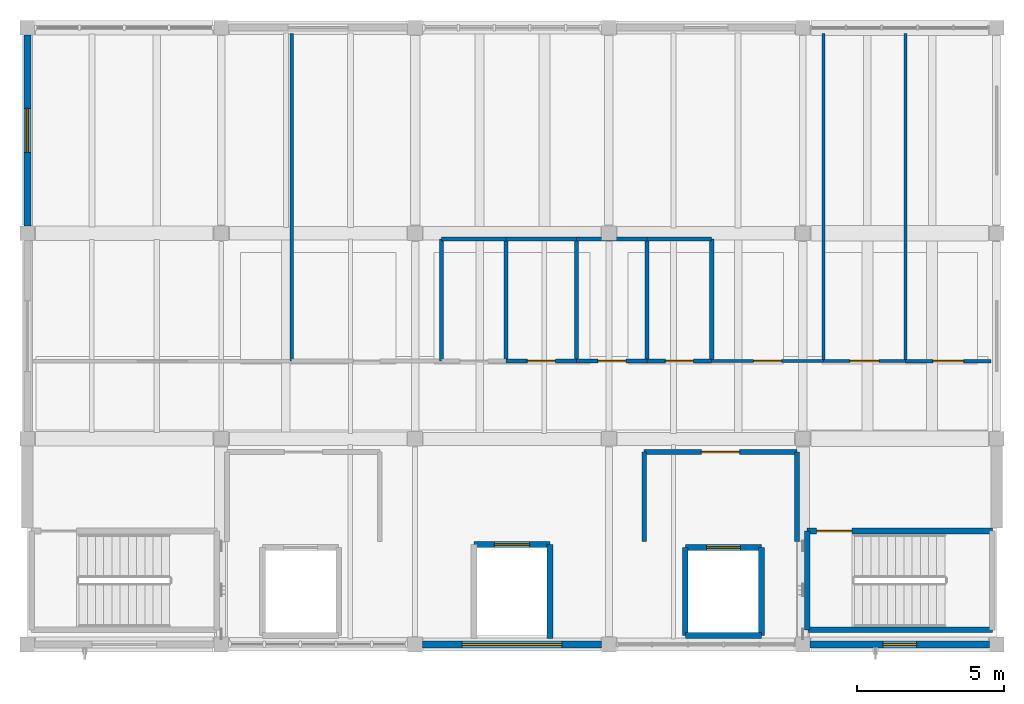
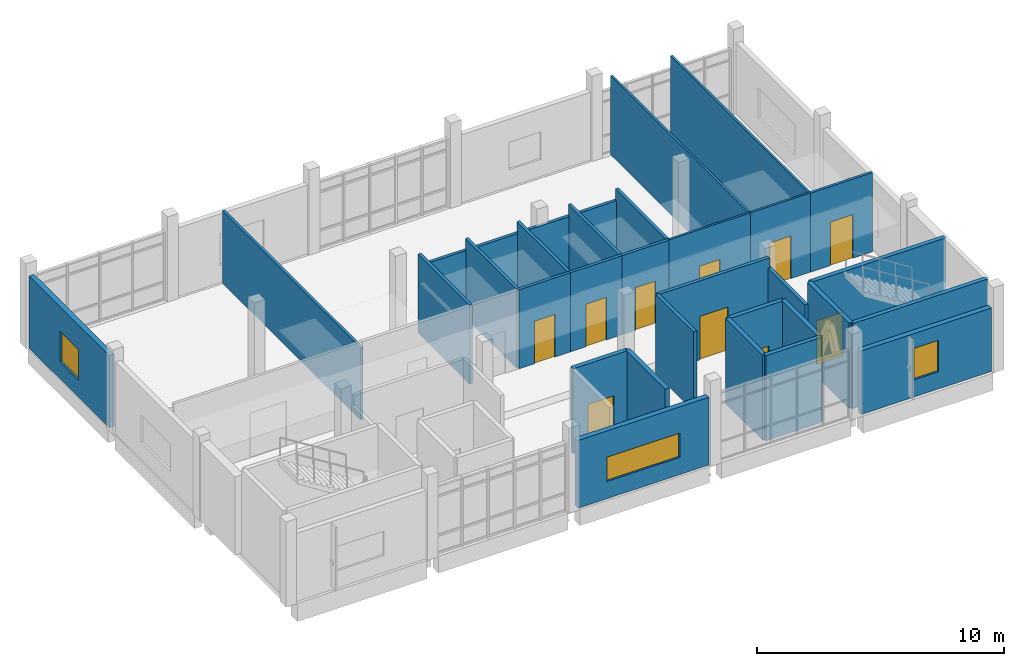
# One storey, part 8 of 10: 33 walls, 10 doors, 3 windows, 13 openings.
"""IFC4 building model written with IfcOpenShell, lengths in metres."""

from ifc_helpers import new_model, si_unit, direction, frame, frame_2d, origin, place, context, subcontext, project, spatial, rectangle, extrude, material, layer, layer_set, type_object, element, fill, save


model = new_model("IFC4")

# Units and contexts
model_context = context("Model", 3, precision=1e-05, world=origin(), true_north=direction((0.0, 1.0)))
body_context = subcontext(model_context, "Body", "Model", "MODEL_VIEW")
ifc_project = project(units=[si_unit("LENGTHUNIT", "METRE"), si_unit("AREAUNIT", "SQUARE_METRE"), si_unit("VOLUMEUNIT", "CUBIC_METRE"), si_unit("PLANEANGLEUNIT", "RADIAN"), si_unit("MASSUNIT", "GRAM", prefix="KILO")], contexts=[model_context])

# Site, building, storey
site_placement = place(None, origin())
site = spatial("IfcSite", under=ifc_project, at=site_placement, CompositionType="ELEMENT")
building_placement = place(site_placement, origin())
building = spatial("IfcBuilding", under=site, at=building_placement, Name="Ciguamira Faculty of Natural Sciences", CompositionType="ELEMENT")
storey_placement = place(building_placement, frame((0.0, 0.0, 42.0)))
storey = spatial("IfcBuildingStorey", under=building, at=storey_placement, Name="L10", CompositionType="ELEMENT", Elevation=42.0)

# Wall, opening, window
ifc_material_1 = material(Name="Precast concrete C40/50", Category="concrete")
ifc_layer_1 = layer(ifc_material_1, 0.239990234375, Name="Precast concrete C40/50")
ifc_layer_set_1 = layer_set([ifc_layer_1], Name="Precast concrete C40/50")
wall_type_1 = type_object("IfcWallType", Name="ExtWall_EW-02_240", PredefinedType="SOLIDWALL", material=ifc_layer_set_1)
wall_1_placement = place(storey_placement, frame((83.949951171875, 94.0, 0.0), z_axis=(0.0, 0.0, 1.0), x_axis=(1.0, 0.0, 0.0)))
wall_1 = element("IfcWall", 1, at=wall_1_placement, inside=storey, type_object=wall_type_1, Name="L10 exterior wall 0397", PredefinedType="SOLIDWALL", context=body_context, shape_type="SweptSolid", body=[
    extrude(rectangle(XDim=6.10009765625, YDim=0.239990234375, at=frame_2d((3.050048828125, 0.0))), origin(), (0.0, 0.0, 1.0), 3.344970703125),
])
opening_1_placement = place(wall_1_placement, frame((1.35009765625, 0.0, 0.85009765625)))
opening_1 = element("IfcOpeningElement", 2, at=opening_1_placement, cuts=wall_1, Name="Opening WT-34", PredefinedType="OPENING", context=body_context, shape_type="SweptSolid", body=[
    extrude(rectangle(XDim=3.39990234375, YDim=1.199951171875, at=frame_2d((1.699951171875, 0.60009765625))), frame((0.0, 0.1298828125, 0.0), z_axis=(0.0, -1.0, 0.0), x_axis=(1.0, 0.0, 0.0)), (0.0, 0.0, 1.0), 0.260009765625),
])
ifc_material_2 = material(Name="Hurricane laminated solar glass", Category="glass")
window_type_1 = type_object("IfcWindowType", Name="Window_WT-34_3400x1200", PartitioningType="DOUBLE_PANEL_VERTICAL", PredefinedType="WINDOW", material=ifc_material_2)
window_1_placement = place(opening_1_placement, origin())
window_1 = element("IfcWindow", 3, at=window_1_placement, inside=storey, type_object=window_type_1, Name="L10 facade window 0279", OverallHeight=1.199951171875, OverallWidth=3.39990234375, PartitioningType="SINGLE_PANEL", PredefinedType="WINDOW", context=body_context, shape_type="SweptSolid", body=[
    extrude(rectangle(XDim=3.39990234375, YDim=1.199951171875, at=frame_2d((1.699951171875, 0.60009765625))), frame((0.0, 0.030029296875, 0.0), z_axis=(0.0, -1.0, 0.0), x_axis=(1.0, 0.0, 0.0)), (0.0, 0.0, 1.0), 0.06005859375),
])
fill(opening_1, window_1)

wall_2_placement = place(storey_placement, frame((97.14990234375, 94.0, 0.0), z_axis=(0.0, 0.0, 1.0), x_axis=(1.0, 0.0, 0.0)))
wall_2 = element("IfcWall", 4, at=wall_2_placement, inside=storey, type_object=wall_type_1, Name="L10 exterior wall 0398", PredefinedType="SOLIDWALL", context=body_context, shape_type="SweptSolid", body=[
    extrude(rectangle(XDim=6.10009765625, YDim=0.239990234375, at=frame_2d((3.050048828125, 0.0))), origin(), (0.0, 0.0, 1.0), 3.135009765625),
])
opening_2_placement = place(wall_2_placement, frame((2.47509765625, 0.0, 0.85009765625)))
opening_2 = element("IfcOpeningElement", 5, at=opening_2_placement, cuts=wall_2, Name="Opening WT-37", PredefinedType="OPENING", context=body_context, shape_type="SweptSolid", body=[
    extrude(rectangle(XDim=1.14990234375, YDim=1.550048828125, at=frame_2d((0.574951171875, 0.77490234375))), frame((0.0, 0.1298828125, 0.0), z_axis=(0.0, -1.0, 0.0), x_axis=(1.0, 0.0, 0.0)), (0.0, 0.0, 1.0), 0.260009765625),
])
window_type_2 = type_object("IfcWindowType", Name="Window_WT-37_1150x1550", PartitioningType="DOUBLE_PANEL_VERTICAL", PredefinedType="WINDOW", material=ifc_material_2)
window_2_placement = place(opening_2_placement, origin())
window_2 = element("IfcWindow", 6, at=window_2_placement, inside=storey, type_object=window_type_2, Name="L10 facade window 0280", OverallHeight=1.550048828125, OverallWidth=1.14990234375, PartitioningType="SINGLE_PANEL", PredefinedType="WINDOW", context=body_context, shape_type="SweptSolid", body=[
    extrude(rectangle(XDim=1.14990234375, YDim=1.550048828125, at=frame_2d((0.574951171875, 0.77490234375))), frame((0.0, 0.030029296875, 0.0), z_axis=(0.0, -1.0, 0.0), x_axis=(1.0, 0.0, 0.0)), (0.0, 0.0, 1.0), 0.06005859375),
])
fill(opening_2, window_2)

wall_3_placement = place(storey_placement, frame((70.5, 108.25, 0.0), z_axis=(0.0, 0.0, 1.0), x_axis=(0.0, 1.0, 0.0)))
wall_3 = element("IfcWall", 7, at=wall_3_placement, inside=storey, type_object=wall_type_1, Name="L10 exterior wall 0403", PredefinedType="SOLIDWALL", context=body_context, shape_type="SweptSolid", body=[
    extrude(rectangle(XDim=6.5, YDim=0.239990234375, at=frame_2d((3.25, 0.0))), origin(), (0.0, 0.0, 1.0), 3.56494140625),
])
opening_3_placement = place(wall_3_placement, frame((2.5, 0.0, 0.85009765625)))
opening_3 = element("IfcOpeningElement", 8, at=opening_3_placement, cuts=wall_3, Name="Opening WT-09", PredefinedType="OPENING", context=body_context, shape_type="SweptSolid", body=[
    extrude(rectangle(XDim=1.5, YDim=1.5, at=frame_2d((0.75, 0.75))), frame((0.0, 0.1298828125, 0.0), z_axis=(0.0, -1.0, 0.0), x_axis=(1.0, 0.0, 0.0)), (0.0, 0.0, 1.0), 0.260009765625),
])
window_type_3 = type_object("IfcWindowType", Name="Window_WT-09_1500x1500", PartitioningType="DOUBLE_PANEL_VERTICAL", PredefinedType="WINDOW", material=ifc_material_2)
window_3_placement = place(opening_3_placement, origin())
window_3 = element("IfcWindow", 9, at=window_3_placement, inside=storey, type_object=window_type_3, Name="L10 facade window 0284", OverallHeight=1.5, OverallWidth=1.5, PartitioningType="SINGLE_PANEL", PredefinedType="WINDOW", context=body_context, shape_type="SweptSolid", body=[
    extrude(rectangle(XDim=1.5, YDim=1.5, at=frame_2d((0.75, 0.75))), frame((0.0, 0.030029296875, 0.0), z_axis=(0.0, -1.0, 0.0), x_axis=(1.0, 0.0, 0.0)), (0.0, 0.0, 1.0), 0.06005859375),
])
fill(opening_3, window_3)

# Wall
ifc_material_3 = material(Name="Concrete C40/50", Category="concrete")
ifc_layer_2 = layer(ifc_material_3, 0.199951171875, Name="Concrete C40/50")
ifc_layer_set_2 = layer_set([ifc_layer_2], Name="Concrete C40/50")
wall_type_2 = type_object("IfcWallType", Name="IntWall_CW-S20_200", PredefinedType="SHEAR", material=ifc_layer_set_2)
wall_4_placement = place(storey_placement, frame((97.050048828125, 94.5, 0.0), z_axis=(0.0, 0.0, 1.0), x_axis=(1.0, 0.0, 0.0)))
element("IfcWall", 10, at=wall_4_placement, inside=storey, type_object=wall_type_2, Name="L10 ST-T2 core shear wall south", PredefinedType="SHEAR", context=body_context, shape_type="SweptSolid", body=[
    extrude(rectangle(XDim=6.300048828125, YDim=0.199951171875, at=frame_2d((3.14990234375, 0.0))), origin(), (0.0, 0.0, 1.0), 4.199951171875),
])

# Wall, opening, door
wall_5_placement = place(storey_placement, frame((97.050048828125, 97.860107421875, 0.0), z_axis=(0.0, 0.0, 1.0), x_axis=(1.0, 0.0, 0.0)))
wall_5 = element("IfcWall", 11, at=wall_5_placement, inside=storey, type_object=wall_type_2, Name="L10 ST-T2 core shear wall north", PredefinedType="SHEAR", context=body_context, shape_type="SweptSolid", body=[
    extrude(rectangle(XDim=6.300048828125, YDim=0.199951171875, at=frame_2d((3.14990234375, 0.0))), origin(), (0.0, 0.0, 1.0), 4.199951171875),
])
opening_4_placement = place(wall_5_placement, frame((0.320068359375, 0.0, 0.0)))
opening_4 = element("IfcOpeningElement", 12, at=opening_4_placement, cuts=wall_5, Name="Opening ID-14", PredefinedType="OPENING", context=body_context, shape_type="SweptSolid", body=[
    extrude(rectangle(XDim=1.199951171875, YDim=2.14990234375, at=frame_2d((0.60009765625, 1.074951171875))), frame((0.0, 0.10986328125, 0.0), z_axis=(0.0, -1.0, 0.0), x_axis=(1.0, 0.0, 0.0)), (0.0, 0.0, 1.0), 0.219970703125),
])
ifc_material_4 = material(Name="Protected exit stair fire door")
door_type_1 = type_object("IfcDoorType", Name="IntDoor_ID-14_1200x2150", OperationType="NOTDEFINED", PredefinedType="DOOR", material=ifc_material_4)
door_1_placement = place(opening_4_placement, frame((1.199951171875, 0.0, 0.0), z_axis=(0.0, 0.0, 1.0), x_axis=(-1.0, 0.0, 0.0)))
door_1 = element("IfcDoor", 13, at=door_1_placement, inside=storey, type_object=door_type_1, Name="L10 ST-T2 exit stair fire door", OperationType="SINGLE_SWING_LEFT", OverallHeight=2.14990234375, OverallWidth=1.199951171875, PredefinedType="DOOR", context=body_context, shape_type="SweptSolid", body=[
    extrude(rectangle(XDim=1.199951171875, YDim=2.14990234375, at=frame_2d((0.60009765625, 1.074951171875))), frame((0.0, 0.02490234375, 0.0), z_axis=(0.0, -1.0, 0.0), x_axis=(1.0, 0.0, 0.0)), (0.0, 0.0, 1.0), 0.050048828125),
])
fill(opening_4, door_1)

# Walls
wall_6_placement = place(storey_placement, frame((97.050048828125, 94.5, 0.0), z_axis=(0.0, 0.0, 1.0), x_axis=(0.0, 1.0, 0.0)))
element("IfcWall", 14, at=wall_6_placement, inside=storey, type_object=wall_type_2, Name="L10 ST-T2 core shear wall west", PredefinedType="SHEAR", context=body_context, shape_type="SweptSolid", body=[
    extrude(rectangle(XDim=3.360107421875, YDim=0.199951171875, at=frame_2d((1.68017578125, 0.0))), origin(), (0.0, 0.0, 1.0), 4.199951171875),
])
wall_7_placement = place(storey_placement, frame((92.89990234375, 94.300048828125, 0.0), z_axis=(0.0, 0.0, 1.0), x_axis=(1.0, 0.0, 0.0)))
element("IfcWall", 15, at=wall_7_placement, inside=storey, type_object=wall_type_2, Name="L10 EL-FF2 hoistway wall south", PredefinedType="SHEAR", context=body_context, shape_type="SweptSolid", body=[
    extrude(rectangle(XDim=2.60009765625, YDim=0.199951171875, at=frame_2d((1.300048828125, 0.0))), origin(), (0.0, 0.0, 1.0), 4.199951171875),
])

# Wall, opening, door
wall_8_placement = place(storey_placement, frame((92.89990234375, 97.300048828125, 0.0), z_axis=(0.0, 0.0, 1.0), x_axis=(1.0, 0.0, 0.0)))
wall_8 = element("IfcWall", 16, at=wall_8_placement, inside=storey, type_object=wall_type_2, Name="L10 EL-FF2 hoistway wall north", PredefinedType="SHEAR", context=body_context, shape_type="SweptSolid", body=[
    extrude(rectangle(XDim=2.60009765625, YDim=0.199951171875, at=frame_2d((1.300048828125, 0.0))), origin(), (0.0, 0.0, 1.0), 4.199951171875),
])
opening_5_placement = place(wall_8_placement, frame((0.72509765625, 0.0, 0.0)))
opening_5 = element("IfcOpeningElement", 17, at=opening_5_placement, cuts=wall_8, Name="Opening LD-03", PredefinedType="OPENING", context=body_context, shape_type="SweptSolid", body=[
    extrude(rectangle(XDim=1.14990234375, YDim=2.199951171875, at=frame_2d((0.574951171875, 1.10009765625))), frame((0.0, 0.10986328125, 0.0), z_axis=(0.0, -1.0, 0.0), x_axis=(1.0, 0.0, 0.0)), (0.0, 0.0, 1.0), 0.219970703125),
])
ifc_material_5 = material(Name="Firefighting lift sliding landing door")
door_type_2 = type_object("IfcDoorType", Name="LiftLandingDoor_LD-03_1150x2200", OperationType="SLIDING_TO_LEFT", PredefinedType="DOOR", material=ifc_material_5)
door_2_placement = place(opening_5_placement, origin())
door_2 = element("IfcDoor", 18, at=door_2_placement, inside=storey, type_object=door_type_2, Name="L10 EL-FF2 elevator landing sliding door", OperationType="SLIDING_TO_LEFT", OverallHeight=2.199951171875, OverallWidth=1.14990234375, PredefinedType="DOOR", context=body_context, shape_type="SweptSolid", body=[
    extrude(rectangle(XDim=1.14990234375, YDim=2.199951171875, at=frame_2d((0.574951171875, 1.10009765625))), frame((0.0, 0.02490234375, 0.0), z_axis=(0.0, -1.0, 0.0), x_axis=(1.0, 0.0, 0.0)), (0.0, 0.0, 1.0), 0.050048828125),
])
fill(opening_5, door_2)

# Walls
for number, where, z_axis, x_axis, name in (
    (19, (92.89990234375, 94.300048828125, 0.0), (0.0, 0.0, 1.0), (0.0, 1.0, 0.0), "L10 EL-FF2 hoistway wall west"),
    (20, (95.5, 94.300048828125, 0.0), (0.0, 0.0, 1.0), (0.0, 1.0, 0.0), "L10 EL-FF2 hoistway wall east"),
):
    element("IfcWall", number, at=place(storey_placement, frame(where, z_axis=z_axis, x_axis=x_axis)), inside=storey, type_object=wall_type_2, Name=name, PredefinedType="SHEAR", context=body_context, shape_type="SweptSolid", body=[
        extrude(rectangle(XDim=3.0, YDim=0.199951171875, at=frame_2d((1.5, 0.0))), origin(), (0.0, 0.0, 1.0), 4.199951171875),
    ])

# Wall, opening, door
wall_9_placement = place(storey_placement, frame((85.699951171875, 97.39990234375, 0.0), z_axis=(0.0, 0.0, 1.0), x_axis=(1.0, 0.0, 0.0)))
wall_9 = element("IfcWall", 21, at=wall_9_placement, inside=storey, type_object=wall_type_2, Name="L10 EL-P1 hoistway wall north", PredefinedType="SHEAR", context=body_context, shape_type="SweptSolid", body=[
    extrude(rectangle(XDim=2.60009765625, YDim=0.199951171875, at=frame_2d((1.300048828125, 0.0))), origin(), (0.0, 0.0, 1.0), 4.199951171875),
])
opening_6_placement = place(wall_9_placement, frame((0.699951171875, 0.0, 0.0)))
opening_6 = element("IfcOpeningElement", 22, at=opening_6_placement, cuts=wall_9, Name="Opening LD-02", PredefinedType="OPENING", context=body_context, shape_type="SweptSolid", body=[
    extrude(rectangle(XDim=1.199951171875, YDim=2.199951171875, at=frame_2d((0.60009765625, 1.10009765625))), frame((0.0, 0.10986328125, 0.0), z_axis=(0.0, -1.0, 0.0), x_axis=(1.0, 0.0, 0.0)), (0.0, 0.0, 1.0), 0.219970703125),
])
ifc_material_6 = material(Name="Stretcher elevator sliding landing door")
door_type_3 = type_object("IfcDoorType", Name="LiftLandingDoor_LD-02_1200x2200", OperationType="SLIDING_TO_LEFT", PredefinedType="DOOR", material=ifc_material_6)
door_3_placement = place(opening_6_placement, origin())
door_3 = element("IfcDoor", 23, at=door_3_placement, inside=storey, type_object=door_type_3, Name="L10 EL-P1 elevator landing sliding door", OperationType="SLIDING_TO_LEFT", OverallHeight=2.199951171875, OverallWidth=1.199951171875, PredefinedType="DOOR", context=body_context, shape_type="SweptSolid", body=[
    extrude(rectangle(XDim=1.199951171875, YDim=2.199951171875, at=frame_2d((0.60009765625, 1.10009765625))), frame((0.0, 0.02490234375, 0.0), z_axis=(0.0, -1.0, 0.0), x_axis=(1.0, 0.0, 0.0)), (0.0, 0.0, 1.0), 0.050048828125),
])
fill(opening_6, door_3)

# Wall
wall_10_placement = place(storey_placement, frame((88.300048828125, 94.199951171875, 0.0), z_axis=(0.0, 0.0, 1.0), x_axis=(0.0, 1.0, 0.0)))
element("IfcWall", 24, at=wall_10_placement, inside=storey, type_object=wall_type_2, Name="L10 EL-P1 hoistway wall east", PredefinedType="SHEAR", context=body_context, shape_type="SweptSolid", body=[
    extrude(rectangle(XDim=3.199951171875, YDim=0.199951171875, at=frame_2d((1.60009765625, 0.0))), origin(), (0.0, 0.0, 1.0), 4.199951171875),
])

# Wall, opening, door
ifc_material_7 = material(Name="Fire-rated gypsum partition")
ifc_layer_3 = layer(ifc_material_7, 0.10009765625, Name="Fire-rated gypsum partition")
ifc_layer_set_3 = layer_set([ifc_layer_3], Name="Fire-rated gypsum partition")
wall_type_3 = type_object("IfcWallType", Name="IntWall_IW-A10_100", PredefinedType="PARTITIONING", material=ifc_layer_set_3)
wall_11_placement = place(storey_placement, frame((93.800048828125, 103.64990234375, 0.0), z_axis=(0.0, 0.0, 1.0), x_axis=(1.0, 0.0, 0.0)))
wall_11 = element("IfcWall", 25, at=wall_11_placement, inside=storey, type_object=wall_type_3, Name="L10 Mathematics Professorial Offices partition south", PredefinedType="PARTITIONING", context=body_context, shape_type="SweptSolid", body=[
    extrude(rectangle(XDim=3.800048828125, YDim=0.10009765625, at=frame_2d((1.89990234375, 0.0))), origin(), (0.0, 0.0, 1.0), 3.89990234375),
])
opening_7_placement = place(wall_11_placement, frame((1.425048828125, 0.0, 0.0)))
opening_7 = element("IfcOpeningElement", 26, at=opening_7_placement, cuts=wall_11, Name="Opening ID-02", PredefinedType="OPENING", context=body_context, shape_type="SweptSolid", body=[
    extrude(rectangle(XDim=0.949951171875, YDim=2.10009765625, at=frame_2d((0.47509765625, 1.050048828125))), frame((0.0, 0.06005859375, 0.0), z_axis=(0.0, -1.0, 0.0), x_axis=(1.0, 0.0, 0.0)), (0.0, 0.0, 1.0), 0.1201171875),
])
ifc_material_8 = material(Name="Accessible WC outward-clear door")
door_type_4 = type_object("IfcDoorType", Name="IntDoor_ID-02_950x2100", OperationType="NOTDEFINED", PredefinedType="DOOR", material=ifc_material_8)
door_4_placement = place(opening_7_placement, origin())
door_4 = element("IfcDoor", 27, at=door_4_placement, inside=storey, type_object=door_type_4, Name="L10 Mathematics Professorial Offices door", OperationType="SINGLE_SWING_RIGHT", OverallHeight=2.10009765625, OverallWidth=0.949951171875, PredefinedType="DOOR", context=body_context, shape_type="SweptSolid", body=[
    extrude(rectangle(XDim=0.949951171875, YDim=2.10009765625, at=frame_2d((0.47509765625, 1.050048828125))), frame((0.0, 0.02490234375, 0.0), z_axis=(0.0, -1.0, 0.0), x_axis=(1.0, 0.0, 0.0)), (0.0, 0.0, 1.0), 0.050048828125),
])
fill(opening_7, door_4)

# Wall
wall_12_placement = place(storey_placement, frame((97.60009765625, 103.64990234375, 0.0), z_axis=(0.0, 0.0, 1.0), x_axis=(0.0, 1.0, 0.0)))
element("IfcWall", 28, at=wall_12_placement, inside=storey, type_object=wall_type_3, Name="L10 Mathematics Professorial Offices partition east", PredefinedType="PARTITIONING", context=body_context, shape_type="SweptSolid", body=[
    extrude(rectangle(XDim=11.150146484375, YDim=0.10009765625, at=frame_2d((5.5751953125, 0.0))), origin(), (0.0, 0.0, 1.0), 3.89990234375),
])

# Wall, opening, door
wall_13_placement = place(storey_placement, frame((97.60009765625, 103.64990234375, 0.0), z_axis=(0.0, 0.0, 1.0), x_axis=(1.0, 0.0, 0.0)))
wall_13 = element("IfcWall", 29, at=wall_13_placement, inside=storey, type_object=wall_type_3, Name="L10 Graduate Fellows Consultation Room partition south", PredefinedType="PARTITIONING", context=body_context, shape_type="SweptSolid", body=[
    extrude(rectangle(XDim=2.7998046875, YDim=0.10009765625, at=frame_2d((1.39990234375, 0.0))), origin(), (0.0, 0.0, 1.0), 3.89990234375),
])
opening_8_placement = place(wall_13_placement, frame((0.89990234375, 0.0, 0.0)))
opening_8 = element("IfcOpeningElement", 30, at=opening_8_placement, cuts=wall_13, Name="Opening ID-03", PredefinedType="OPENING", context=body_context, shape_type="SweptSolid", body=[
    extrude(rectangle(XDim=1.0, YDim=2.10009765625, at=frame_2d((0.5, 1.050048828125))), frame((0.0, 0.06005859375, 0.0), z_axis=(0.0, -1.0, 0.0), x_axis=(1.0, 0.0, 0.0)), (0.0, 0.0, 1.0), 0.1201171875),
])
ifc_material_9 = material(Name="Restroom lobby fire door")
door_type_5 = type_object("IfcDoorType", Name="IntDoor_ID-03_1000x2100", OperationType="NOTDEFINED", PredefinedType="DOOR", material=ifc_material_9)
door_5_placement = place(opening_8_placement, origin())
door_5 = element("IfcDoor", 31, at=door_5_placement, inside=storey, type_object=door_type_5, Name="L10 Graduate Fellows Consultation Room door", OperationType="SINGLE_SWING_LEFT", OverallHeight=2.10009765625, OverallWidth=1.0, PredefinedType="DOOR", context=body_context, shape_type="SweptSolid", body=[
    extrude(rectangle(XDim=1.0, YDim=2.10009765625, at=frame_2d((0.5, 1.050048828125))), frame((0.0, 0.02490234375, 0.0), z_axis=(0.0, -1.0, 0.0), x_axis=(1.0, 0.0, 0.0)), (0.0, 0.0, 1.0), 0.050048828125),
])
fill(opening_8, door_5)

# Walls
wall_14_placement = place(storey_placement, frame((100.39990234375, 103.64990234375, 0.0), z_axis=(0.0, 0.0, 1.0), x_axis=(0.0, 1.0, 0.0)))
element("IfcWall", 32, at=wall_14_placement, inside=storey, type_object=wall_type_3, Name="L10 Graduate Fellows Consultation Room partition east", PredefinedType="PARTITIONING", context=body_context, shape_type="SweptSolid", body=[
    extrude(rectangle(XDim=11.150146484375, YDim=0.10009765625, at=frame_2d((5.5751953125, 0.0))), origin(), (0.0, 0.0, 1.0), 3.89990234375),
])
ifc_material_10 = material(Name="Acoustic double-stud gypsum partition")
ifc_layer_4 = layer(ifc_material_10, 0.1201171875, Name="Acoustic double-stud gypsum partition")
ifc_layer_set_4 = layer_set([ifc_layer_4], Name="Acoustic double-stud gypsum partition")
wall_type_4 = type_object("IfcWallType", Name="IntWall_IW-A12_120", PredefinedType="PARTITIONING", material=ifc_layer_set_4)
wall_15_placement = place(storey_placement, frame((79.5, 103.64990234375, 0.0), z_axis=(0.0, 0.0, 1.0), x_axis=(0.0, 1.0, 0.0)))
element("IfcWall", 33, at=wall_15_placement, inside=storey, type_object=wall_type_4, Name="L10 Applied Mathematics Seminar Hall partition east", PredefinedType="PARTITIONING", context=body_context, shape_type="SweptSolid", body=[
    extrude(rectangle(XDim=11.150146484375, YDim=0.1201171875, at=frame_2d((5.5751953125, 0.0))), origin(), (0.0, 0.0, 1.0), 3.576904296875),
])

# Wall, opening, door
wall_16_placement = place(storey_placement, frame((100.39990234375, 103.64990234375, 0.0), z_axis=(0.0, 0.0, 1.0), x_axis=(1.0, 0.0, 0.0)))
wall_16 = element("IfcWall", 34, at=wall_16_placement, inside=storey, type_object=wall_type_4, Name="L10 Topology Seminar Office partition south", PredefinedType="PARTITIONING", context=body_context, shape_type="SweptSolid", body=[
    extrude(rectangle(XDim=2.900146484375, YDim=0.1201171875, at=frame_2d((1.4501953125, 0.0))), origin(), (0.0, 0.0, 1.0), 3.89990234375),
])
opening_9_placement = place(wall_16_placement, frame((0.925048828125, 0.0, 0.0)))
opening_9 = element("IfcOpeningElement", 35, at=opening_9_placement, cuts=wall_16, Name="Opening ID-04", PredefinedType="OPENING", context=body_context, shape_type="SweptSolid", body=[
    extrude(rectangle(XDim=1.050048828125, YDim=2.14990234375, at=frame_2d((0.52490234375, 1.074951171875))), frame((0.0, 0.070068359375, 0.0), z_axis=(0.0, -1.0, 0.0), x_axis=(1.0, 0.0, 0.0)), (0.0, 0.0, 1.0), 0.14013671875),
])
ifc_material_11 = material(Name="Seminar acoustic single door")
door_type_6 = type_object("IfcDoorType", Name="IntDoor_ID-04_1050x2150", OperationType="NOTDEFINED", PredefinedType="DOOR", material=ifc_material_11)
door_6_placement = place(opening_9_placement, origin())
door_6 = element("IfcDoor", 36, at=door_6_placement, inside=storey, type_object=door_type_6, Name="L10 Topology Seminar Office door", OperationType="SINGLE_SWING_RIGHT", OverallHeight=2.14990234375, OverallWidth=1.050048828125, PredefinedType="DOOR", context=body_context, shape_type="SweptSolid", body=[
    extrude(rectangle(XDim=1.050048828125, YDim=2.14990234375, at=frame_2d((0.52490234375, 1.074951171875))), frame((0.0, 0.02490234375, 0.0), z_axis=(0.0, -1.0, 0.0), x_axis=(1.0, 0.0, 0.0)), (0.0, 0.0, 1.0), 0.050048828125),
])
fill(opening_9, door_6)

ifc_material_12 = material(Name="Fire-rated blockwork wall", Category="masonry")
ifc_layer_5 = layer(ifc_material_12, 0.159912109375, Name="Fire-rated blockwork wall")
ifc_layer_set_5 = layer_set([ifc_layer_5], Name="Fire-rated blockwork wall")
wall_type_5 = type_object("IfcWallType", Name="IntWall_IW-F16_160", PredefinedType="SOLIDWALL", material=ifc_layer_set_5)
wall_17_placement = place(storey_placement, frame((91.5, 100.550048828125, 0.0), z_axis=(0.0, 0.0, 1.0), x_axis=(1.0, 0.0, 0.0)))
wall_17 = element("IfcWall", 37, at=wall_17_placement, inside=storey, type_object=wall_type_5, Name="L10 Firefighting Lift Lobby 2 partition north", PredefinedType="SOLIDWALL", context=body_context, shape_type="SweptSolid", body=[
    extrude(rectangle(XDim=5.199951171875, YDim=0.159912109375, at=frame_2d((2.60009765625, 0.0))), origin(), (0.0, 0.0, 1.0), 3.89990234375),
])
opening_10_placement = place(wall_17_placement, frame((1.949951171875, 0.0, 0.0)))
opening_10 = element("IfcOpeningElement", 38, at=opening_10_placement, cuts=wall_17, Name="Opening ID-15", PredefinedType="OPENING", context=body_context, shape_type="SweptSolid", body=[
    extrude(rectangle(XDim=1.300048828125, YDim=2.14990234375, at=frame_2d((0.64990234375, 1.074951171875))), frame((0.0, 0.08984375, 0.0), z_axis=(0.0, -1.0, 0.0), x_axis=(1.0, 0.0, 0.0)), (0.0, 0.0, 1.0), 0.179931640625),
])
ifc_material_13 = material(Name="Firefighting lift lobby fire door")
door_type_7 = type_object("IfcDoorType", Name="IntDoor_ID-15_1300x2150", OperationType="NOTDEFINED", PredefinedType="DOOR", material=ifc_material_13)
door_7_placement = place(opening_10_placement, frame((1.300048828125, 0.0, 0.0), z_axis=(0.0, 0.0, 1.0), x_axis=(-1.0, 0.0, 0.0)))
door_7 = element("IfcDoor", 39, at=door_7_placement, inside=storey, type_object=door_type_7, Name="L10 Firefighting Lift Lobby 2 door", OperationType="SINGLE_SWING_LEFT", OverallHeight=2.14990234375, OverallWidth=1.300048828125, PredefinedType="DOOR", context=body_context, shape_type="SweptSolid", body=[
    extrude(rectangle(XDim=1.300048828125, YDim=2.14990234375, at=frame_2d((0.64990234375, 1.074951171875))), frame((0.0, 0.02490234375, 0.0), z_axis=(0.0, -1.0, 0.0), x_axis=(1.0, 0.0, 0.0)), (0.0, 0.0, 1.0), 0.050048828125),
])
fill(opening_10, door_7)

# Walls
wall_18_placement = place(storey_placement, frame((91.5, 97.5, 0.0), z_axis=(0.0, 0.0, 1.0), x_axis=(0.0, 1.0, 0.0)))
element("IfcWall", 40, at=wall_18_placement, inside=storey, type_object=wall_type_5, Name="L10 Firefighting Lift Lobby 2 partition west", PredefinedType="SOLIDWALL", context=body_context, shape_type="SweptSolid", body=[
    extrude(rectangle(XDim=3.050048828125, YDim=0.159912109375, at=frame_2d((1.52490234375, 0.0))), origin(), (0.0, 0.0, 1.0), 3.89990234375),
])
wall_19_placement = place(storey_placement, frame((96.699951171875, 97.5, 0.0), z_axis=(0.0, 0.0, 1.0), x_axis=(0.0, 1.0, 0.0)))
element("IfcWall", 41, at=wall_19_placement, inside=storey, type_object=wall_type_5, Name="L10 Firefighting Lift Lobby 2 partition east", PredefinedType="SOLIDWALL", context=body_context, shape_type="SweptSolid", body=[
    extrude(rectangle(XDim=3.050048828125, YDim=0.159912109375, at=frame_2d((1.52490234375, 0.0))), origin(), (0.0, 0.0, 1.0), 3.405029296875),
])
ifc_material_14 = material(Name="Moisture-resistant service chase wall")
ifc_layer_6 = layer(ifc_material_14, 0.139892578125, Name="Moisture-resistant service chase wall")
ifc_layer_set_6 = layer_set([ifc_layer_6], Name="Moisture-resistant service chase wall")
wall_type_6 = type_object("IfcWallType", Name="IntWall_IW-P14_140", PredefinedType="PLUMBINGWALL", material=ifc_layer_set_6)
wall_20_placement = place(storey_placement, frame((84.60009765625, 107.800048828125, 0.0), z_axis=(0.0, 0.0, 1.0), x_axis=(1.0, 0.0, 0.0)))
element("IfcWall", 42, at=wall_20_placement, inside=storey, type_object=wall_type_6, Name="L10 Accessible WC partition north", PredefinedType="PLUMBINGWALL", context=body_context, shape_type="SweptSolid", body=[
    extrude(rectangle(XDim=2.199951171875, YDim=0.139892578125, at=frame_2d((1.10009765625, 0.0))), origin(), (0.0, 0.0, 1.0), 3.344970703125),
])
for number, where, z_axis, x_axis, name in (
    (43, (84.60009765625, 103.64990234375, 0.0), (0.0, 0.0, 1.0), (0.0, 1.0, 0.0), "L10 Accessible WC partition west"),
    (44, (86.800048828125, 103.64990234375, 0.0), (0.0, 0.0, 1.0), (0.0, 1.0, 0.0), "L10 Accessible WC partition east"),
):
    element("IfcWall", number, at=place(storey_placement, frame(where, z_axis=z_axis, x_axis=x_axis)), inside=storey, type_object=wall_type_6, Name=name, PredefinedType="PLUMBINGWALL", context=body_context, shape_type="SweptSolid", body=[
        extrude(rectangle(XDim=4.150146484375, YDim=0.139892578125, at=frame_2d((2.0751953125, 0.0))), origin(), (0.0, 0.0, 1.0), 3.89990234375),
    ])

# Wall, opening, door
wall_21_placement = place(storey_placement, frame((86.800048828125, 103.64990234375, 0.0), z_axis=(0.0, 0.0, 1.0), x_axis=(1.0, 0.0, 0.0)))
wall_21 = element("IfcWall", 45, at=wall_21_placement, inside=storey, type_object=wall_type_6, Name="L10 Public Restroom Female partition south", PredefinedType="PLUMBINGWALL", context=body_context, shape_type="SweptSolid", body=[
    extrude(rectangle(XDim=2.39990234375, YDim=0.139892578125, at=frame_2d((1.199951171875, 0.0))), origin(), (0.0, 0.0, 1.0), 3.89990234375),
])
opening_11_placement = place(wall_21_placement, frame((0.72509765625, 0.0, 0.0)))
opening_11 = element("IfcOpeningElement", 46, at=opening_11_placement, cuts=wall_21, Name="Opening ID-02", PredefinedType="OPENING", context=body_context, shape_type="SweptSolid", body=[
    extrude(rectangle(XDim=0.949951171875, YDim=2.10009765625, at=frame_2d((0.47509765625, 1.050048828125))), frame((0.0, 0.079833984375, 0.0), z_axis=(0.0, -1.0, 0.0), x_axis=(1.0, 0.0, 0.0)), (0.0, 0.0, 1.0), 0.159912109375),
])
door_8_placement = place(opening_11_placement, origin())
door_8 = element("IfcDoor", 47, at=door_8_placement, inside=storey, type_object=door_type_4, Name="L10 Public Restroom Female door", OperationType="SINGLE_SWING_LEFT", OverallHeight=2.10009765625, OverallWidth=0.949951171875, PredefinedType="DOOR", context=body_context, shape_type="SweptSolid", body=[
    extrude(rectangle(XDim=0.949951171875, YDim=2.10009765625, at=frame_2d((0.47509765625, 1.050048828125))), frame((0.0, 0.02490234375, 0.0), z_axis=(0.0, -1.0, 0.0), x_axis=(1.0, 0.0, 0.0)), (0.0, 0.0, 1.0), 0.050048828125),
])
fill(opening_11, door_8)

# Walls
wall_22_placement = place(storey_placement, frame((86.800048828125, 107.800048828125, 0.0), z_axis=(0.0, 0.0, 1.0), x_axis=(1.0, 0.0, 0.0)))
element("IfcWall", 48, at=wall_22_placement, inside=storey, type_object=wall_type_6, Name="L10 Public Restroom Female partition north", PredefinedType="PLUMBINGWALL", context=body_context, shape_type="SweptSolid", body=[
    extrude(rectangle(XDim=2.39990234375, YDim=0.139892578125, at=frame_2d((1.199951171875, 0.0))), origin(), (0.0, 0.0, 1.0), 3.344970703125),
])
wall_23_placement = place(storey_placement, frame((89.199951171875, 103.64990234375, 0.0), z_axis=(0.0, 0.0, 1.0), x_axis=(0.0, 1.0, 0.0)))
element("IfcWall", 49, at=wall_23_placement, inside=storey, type_object=wall_type_6, Name="L10 Public Restroom Female partition east", PredefinedType="PLUMBINGWALL", context=body_context, shape_type="SweptSolid", body=[
    extrude(rectangle(XDim=4.150146484375, YDim=0.139892578125, at=frame_2d((2.0751953125, 0.0))), origin(), (0.0, 0.0, 1.0), 3.89990234375),
])

# Wall, opening, door
wall_24_placement = place(storey_placement, frame((89.199951171875, 103.64990234375, 0.0), z_axis=(0.0, 0.0, 1.0), x_axis=(1.0, 0.0, 0.0)))
wall_24 = element("IfcWall", 50, at=wall_24_placement, inside=storey, type_object=wall_type_6, Name="L10 Public Restroom Male partition south", PredefinedType="PLUMBINGWALL", context=body_context, shape_type="SweptSolid", body=[
    extrude(rectangle(XDim=2.400146484375, YDim=0.139892578125, at=frame_2d((1.2001953125, 0.0))), origin(), (0.0, 0.0, 1.0), 3.89990234375),
])
opening_12_placement = place(wall_24_placement, frame((0.72509765625, 0.0, 0.0)))
opening_12 = element("IfcOpeningElement", 51, at=opening_12_placement, cuts=wall_24, Name="Opening ID-02", PredefinedType="OPENING", context=body_context, shape_type="SweptSolid", body=[
    extrude(rectangle(XDim=0.949951171875, YDim=2.10009765625, at=frame_2d((0.47509765625, 1.050048828125))), frame((0.0, 0.079833984375, 0.0), z_axis=(0.0, -1.0, 0.0), x_axis=(1.0, 0.0, 0.0)), (0.0, 0.0, 1.0), 0.159912109375),
])
door_9_placement = place(opening_12_placement, origin())
door_9 = element("IfcDoor", 52, at=door_9_placement, inside=storey, type_object=door_type_4, Name="L10 Public Restroom Male door", OperationType="SINGLE_SWING_RIGHT", OverallHeight=2.10009765625, OverallWidth=0.949951171875, PredefinedType="DOOR", context=body_context, shape_type="SweptSolid", body=[
    extrude(rectangle(XDim=0.949951171875, YDim=2.10009765625, at=frame_2d((0.47509765625, 1.050048828125))), frame((0.0, 0.02490234375, 0.0), z_axis=(0.0, -1.0, 0.0), x_axis=(1.0, 0.0, 0.0)), (0.0, 0.0, 1.0), 0.050048828125),
])
fill(opening_12, door_9)

# Walls
wall_25_placement = place(storey_placement, frame((89.199951171875, 107.800048828125, 0.0), z_axis=(0.0, 0.0, 1.0), x_axis=(1.0, 0.0, 0.0)))
element("IfcWall", 53, at=wall_25_placement, inside=storey, type_object=wall_type_6, Name="L10 Public Restroom Male partition north", PredefinedType="PLUMBINGWALL", context=body_context, shape_type="SweptSolid", body=[
    extrude(rectangle(XDim=2.400146484375, YDim=0.139892578125, at=frame_2d((1.2001953125, 0.0))), origin(), (0.0, 0.0, 1.0), 3.344970703125),
])
wall_26_placement = place(storey_placement, frame((91.60009765625, 103.64990234375, 0.0), z_axis=(0.0, 0.0, 1.0), x_axis=(0.0, 1.0, 0.0)))
element("IfcWall", 54, at=wall_26_placement, inside=storey, type_object=wall_type_6, Name="L10 Public Restroom Male partition east", PredefinedType="PLUMBINGWALL", context=body_context, shape_type="SweptSolid", body=[
    extrude(rectangle(XDim=4.150146484375, YDim=0.139892578125, at=frame_2d((2.0751953125, 0.0))), origin(), (0.0, 0.0, 1.0), 3.89990234375),
])

# Wall, opening, door
wall_27_placement = place(storey_placement, frame((91.60009765625, 103.64990234375, 0.0), z_axis=(0.0, 0.0, 1.0), x_axis=(1.0, 0.0, 0.0)))
wall_27 = element("IfcWall", 55, at=wall_27_placement, inside=storey, type_object=wall_type_6, Name="L10 Staff Restroom partition south", PredefinedType="PLUMBINGWALL", context=body_context, shape_type="SweptSolid", body=[
    extrude(rectangle(XDim=2.199951171875, YDim=0.139892578125, at=frame_2d((1.10009765625, 0.0))), origin(), (0.0, 0.0, 1.0), 3.89990234375),
])
opening_13_placement = place(wall_27_placement, frame((0.625, 0.0, 0.0)))
opening_13 = element("IfcOpeningElement", 56, at=opening_13_placement, cuts=wall_27, Name="Opening ID-02", PredefinedType="OPENING", context=body_context, shape_type="SweptSolid", body=[
    extrude(rectangle(XDim=0.949951171875, YDim=2.10009765625, at=frame_2d((0.47509765625, 1.050048828125))), frame((0.0, 0.079833984375, 0.0), z_axis=(0.0, -1.0, 0.0), x_axis=(1.0, 0.0, 0.0)), (0.0, 0.0, 1.0), 0.159912109375),
])
door_10_placement = place(opening_13_placement, origin())
door_10 = element("IfcDoor", 57, at=door_10_placement, inside=storey, type_object=door_type_4, Name="L10 Staff Restroom door", OperationType="SINGLE_SWING_LEFT", OverallHeight=2.10009765625, OverallWidth=0.949951171875, PredefinedType="DOOR", context=body_context, shape_type="SweptSolid", body=[
    extrude(rectangle(XDim=0.949951171875, YDim=2.10009765625, at=frame_2d((0.47509765625, 1.050048828125))), frame((0.0, 0.02490234375, 0.0), z_axis=(0.0, -1.0, 0.0), x_axis=(1.0, 0.0, 0.0)), (0.0, 0.0, 1.0), 0.050048828125),
])
fill(opening_13, door_10)

# Walls
wall_28_placement = place(storey_placement, frame((91.60009765625, 107.800048828125, 0.0), z_axis=(0.0, 0.0, 1.0), x_axis=(1.0, 0.0, 0.0)))
element("IfcWall", 58, at=wall_28_placement, inside=storey, type_object=wall_type_6, Name="L10 Staff Restroom partition north", PredefinedType="PLUMBINGWALL", context=body_context, shape_type="SweptSolid", body=[
    extrude(rectangle(XDim=2.199951171875, YDim=0.139892578125, at=frame_2d((1.10009765625, 0.0))), origin(), (0.0, 0.0, 1.0), 3.344970703125),
])
wall_29_placement = place(storey_placement, frame((93.800048828125, 103.64990234375, 0.0), z_axis=(0.0, 0.0, 1.0), x_axis=(0.0, 1.0, 0.0)))
element("IfcWall", 59, at=wall_29_placement, inside=storey, type_object=wall_type_6, Name="L10 Staff Restroom partition east", PredefinedType="PLUMBINGWALL", context=body_context, shape_type="SweptSolid", body=[
    extrude(rectangle(XDim=4.150146484375, YDim=0.139892578125, at=frame_2d((2.0751953125, 0.0))), origin(), (0.0, 0.0, 1.0), 3.89990234375),
])

save(model, "model.ifc")
